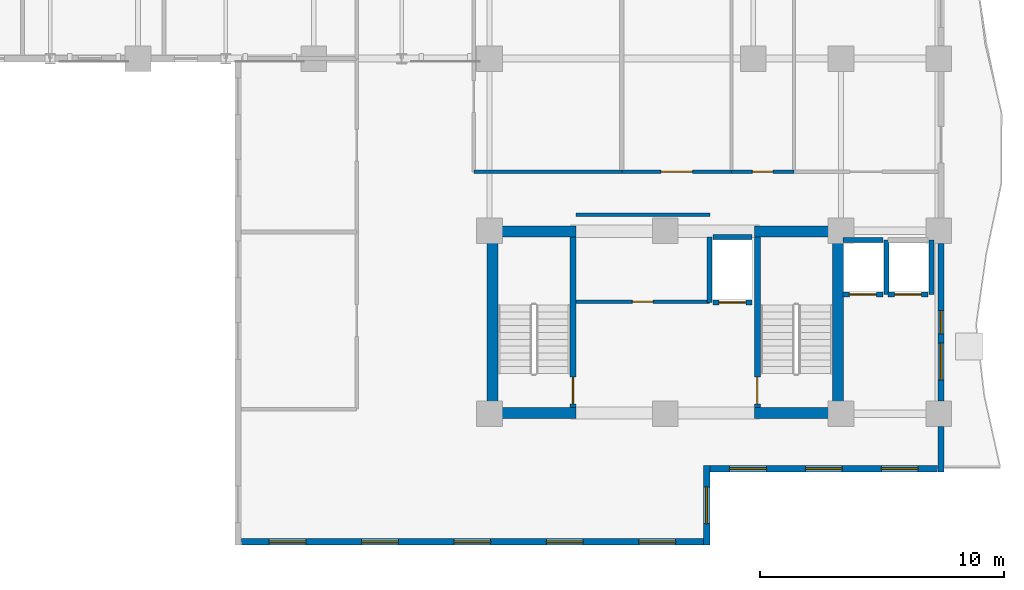
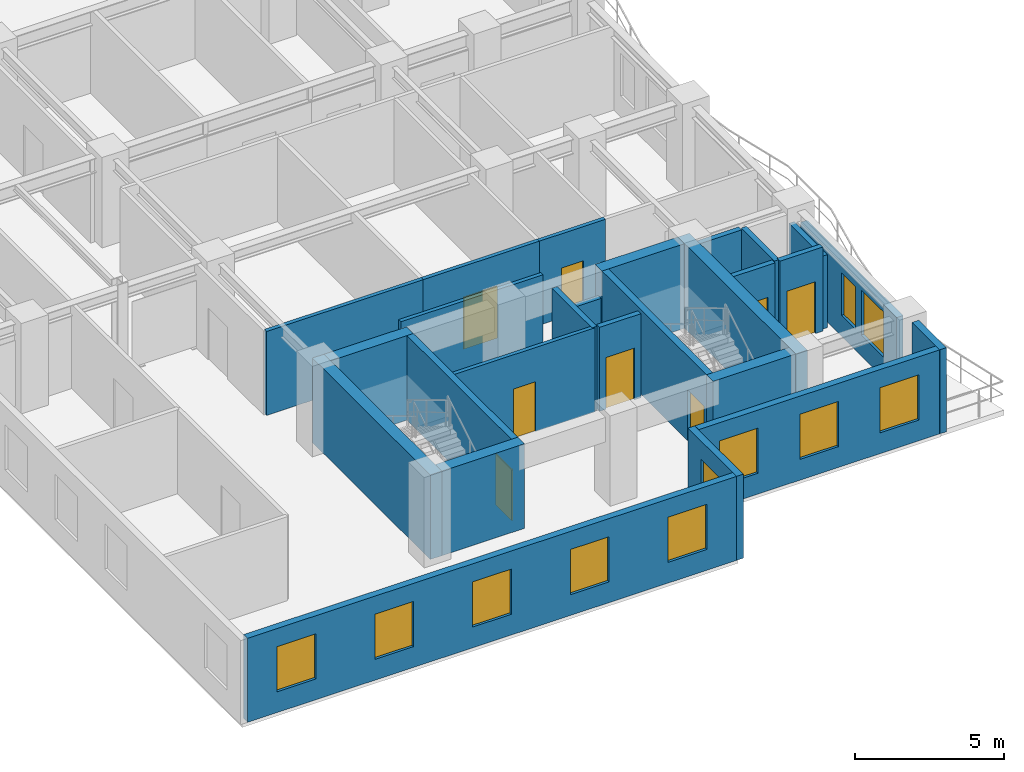
# One storey, part 6 of 13: 26 walls, 11 windows, 8 doors, 19 openings.
"""IFC4 building model written with IfcOpenShell, lengths in metres."""

from ifc_helpers import new_model, si_unit, direction, frame, frame_2d, origin, place, context, subcontext, project, spatial, rectangle, extrude, material, layer, layer_set, type_object, element, fill, save


model = new_model("IFC4")

# Units and contexts
model_context = context("Model", 3, precision=1e-05, world=origin(), true_north=direction((0.0, 1.0)))
body_context = subcontext(model_context, "Body", "Model", "MODEL_VIEW")
ifc_project = project(units=[si_unit("LENGTHUNIT", "METRE"), si_unit("AREAUNIT", "SQUARE_METRE"), si_unit("VOLUMEUNIT", "CUBIC_METRE"), si_unit("PLANEANGLEUNIT", "RADIAN"), si_unit("MASSUNIT", "GRAM", prefix="KILO")], contexts=[model_context])

# Site, building, storey
site_placement = place(None, origin())
site = spatial("IfcSite", under=ifc_project, at=site_placement, CompositionType="ELEMENT")
building_placement = place(site_placement, origin())
building = spatial("IfcBuilding", under=site, at=building_placement, Name="Kaliganga Portal Commons", CompositionType="ELEMENT")
storey_placement = place(building_placement, frame((0.0, 0.0, 180.89990234375)))
storey = spatial("IfcBuildingStorey", under=building, at=storey_placement, Name="L46", CompositionType="ELEMENT", Elevation=180.89990234375)

# Walls
ifc_material_1 = material(Name="Concrete C60/75", Category="concrete")
ifc_layer_1 = layer(ifc_material_1, 0.449951171875)
ifc_layer_set_1 = layer_set([ifc_layer_1], Name="Concrete C60/75")
wall_type_1 = type_object("IfcWallType", Name="WL-CORE-450", PredefinedType="SHEAR", material=ifc_layer_set_1)
for number, where, z_axis, x_axis, name in (
    (1, (36.125, 6.85009765625, 0.0), (0.0, 0.0, 1.0), (0.0, 1.0, 0.0), "Core B West Shear Wall L46"),
    (2, (50.27490234375, 6.85009765625, 0.0), (0.0, 0.0, 1.0), (0.0, 1.0, 0.0), "Core B East Shear Wall L46"),
):
    element("IfcWall", number, at=place(storey_placement, frame(where, z_axis=z_axis, x_axis=x_axis)), inside=storey, type_object=wall_type_1, Name=name, PredefinedType="SHEAR", context=body_context, shape_type="SweptSolid", body=[
        extrude(rectangle(XDim=7.89990234375, YDim=0.449951171875, at=frame_2d((3.949951171875, 0.0))), origin(), (0.0, 0.0, 1.0), 3.460205078125),
    ])
for number, where, z_axis, x_axis, name in (
    (3, (36.35009765625, 7.074951171875, 0.0), (0.0, 0.0, 1.0), (1.0, 0.0, 0.0), "Core B S-West Shear Wall L46"),
    (4, (46.85009765625, 7.074951171875, 0.0), (0.0, 0.0, 1.0), (1.0, 0.0, 0.0), "Core B S-East Shear Wall L46"),
    (5, (36.35009765625, 14.52490234375, 0.0), (0.0, 0.0, 1.0), (1.0, 0.0, 0.0), "Core B N-West Shear Wall L46"),
    (6, (46.85009765625, 14.52490234375, 0.0), (0.0, 0.0, 1.0), (1.0, 0.0, 0.0), "Core B N-East Shear Wall L46"),
):
    element("IfcWall", number, at=place(storey_placement, frame(where, z_axis=z_axis, x_axis=x_axis)), inside=storey, type_object=wall_type_1, Name=name, PredefinedType="SHEAR", context=body_context, shape_type="SweptSolid", body=[
        extrude(rectangle(XDim=3.199951171875, YDim=0.449951171875, at=frame_2d((1.60009765625, 0.0))), origin(), (0.0, 0.0, 1.0), 3.460205078125),
    ])

# Wall, openings, windows
ifc_material_2 = material(Name="Insulated Aluminium-Clad Spandrel Assembly", Category="aluminium")
ifc_layer_2 = layer(ifc_material_2, 0.260009765625)
ifc_layer_set_2 = layer_set([ifc_layer_2], Name="Insulated Aluminium-Clad Spandrel Assembly")
wall_type_2 = type_object("IfcWallType", Name="WL-EXT-SPAND-260", PredefinedType="STANDARD", material=ifc_layer_set_2)
wall_1_placement = place(storey_placement, frame((44.764892578125, 1.800048828125, 0.0), z_axis=(0.0, 0.0, 1.0), x_axis=(-1.0, 0.0, 0.0)))
wall_1 = element("IfcWall", 7, at=wall_1_placement, inside=storey, type_object=wall_type_2, Name="Exterior Envelope Wall L46 P1-E00-S1", PredefinedType="STANDARD", context=body_context, shape_type="SweptSolid", body=[
    extrude(rectangle(XDim=18.929931640625, YDim=0.260009765625, at=frame_2d((9.46484375, 0.0))), origin(), (0.0, 0.0, 1.0), 3.440185546875),
])
opening_1_placement = place(wall_1_placement, frame((1.14306640625, 0.0, 0.85009765625)))
opening_1 = element("IfcOpeningElement", 8, at=opening_1_placement, cuts=wall_1, Name="Opening W-02", PredefinedType="OPENING", context=body_context, shape_type="SweptSolid", body=[
    extrude(rectangle(XDim=1.5, YDim=1.85009765625, at=frame_2d((0.75, 0.925048828125))), frame((0.0, 0.14013671875, 0.0), z_axis=(0.0, -1.0, 0.0), x_axis=(1.0, 0.0, 0.0)), (0.0, 0.0, 1.0), 0.280029296875),
])
opening_2_placement = place(wall_1_placement, frame((4.928955078125, 0.0, 0.85009765625)))
opening_2 = element("IfcOpeningElement", 9, at=opening_2_placement, cuts=wall_1, Name="Opening W-02", PredefinedType="OPENING", context=body_context, shape_type="SweptSolid", body=[
    extrude(rectangle(XDim=1.5, YDim=1.85009765625, at=frame_2d((0.75, 0.925048828125))), frame((0.0, 0.14013671875, 0.0), z_axis=(0.0, -1.0, 0.0), x_axis=(1.0, 0.0, 0.0)), (0.0, 0.0, 1.0), 0.280029296875),
])
opening_3_placement = place(wall_1_placement, frame((8.715087890625, 0.0, 0.85009765625)))
opening_3 = element("IfcOpeningElement", 10, at=opening_3_placement, cuts=wall_1, Name="Opening W-02", PredefinedType="OPENING", context=body_context, shape_type="SweptSolid", body=[
    extrude(rectangle(XDim=1.5, YDim=1.85009765625, at=frame_2d((0.75, 0.925048828125))), frame((0.0, 0.14013671875, 0.0), z_axis=(0.0, -1.0, 0.0), x_axis=(1.0, 0.0, 0.0)), (0.0, 0.0, 1.0), 0.280029296875),
])
opening_4_placement = place(wall_1_placement, frame((12.5009765625, 0.0, 0.85009765625)))
opening_4 = element("IfcOpeningElement", 11, at=opening_4_placement, cuts=wall_1, Name="Opening W-02", PredefinedType="OPENING", context=body_context, shape_type="SweptSolid", body=[
    extrude(rectangle(XDim=1.5, YDim=1.85009765625, at=frame_2d((0.75, 0.925048828125))), frame((0.0, 0.14013671875, 0.0), z_axis=(0.0, -1.0, 0.0), x_axis=(1.0, 0.0, 0.0)), (0.0, 0.0, 1.0), 0.280029296875),
])
opening_5_placement = place(wall_1_placement, frame((16.287109375, 0.0, 0.85009765625)))
opening_5 = element("IfcOpeningElement", 12, at=opening_5_placement, cuts=wall_1, Name="Opening W-02", PredefinedType="OPENING", context=body_context, shape_type="SweptSolid", body=[
    extrude(rectangle(XDim=1.5, YDim=1.85009765625, at=frame_2d((0.75, 0.925048828125))), frame((0.0, 0.14013671875, 0.0), z_axis=(0.0, -1.0, 0.0), x_axis=(1.0, 0.0, 0.0)), (0.0, 0.0, 1.0), 0.280029296875),
])
ifc_material_3 = material(Name="Thermally Broken Aluminium and Low-E Double Glazing", Category="aluminium")
window_type_1 = type_object("IfcWindowType", Name="WIN-STD-1500", PartitioningType="DOUBLE_PANEL_VERTICAL", PredefinedType="WINDOW", material=ifc_material_3)
window_1_placement = place(opening_1_placement, origin())
window_1 = element("IfcWindow", 13, at=window_1_placement, inside=storey, type_object=window_type_1, Name="Facade Window L46-P1E00S1-00", OverallHeight=1.85009765625, OverallWidth=1.5, PartitioningType="SINGLE_PANEL", PredefinedType="WINDOW", context=body_context, shape_type="SweptSolid", body=[
    extrude(rectangle(XDim=1.5, YDim=1.85009765625, at=frame_2d((0.75, 0.925048828125))), frame((0.0, 0.030029296875, 0.0), z_axis=(0.0, -1.0, 0.0), x_axis=(1.0, 0.0, 0.0)), (0.0, 0.0, 1.0), 0.06005859375),
])
fill(opening_1, window_1)
window_2_placement = place(opening_2_placement, origin())
window_2 = element("IfcWindow", 14, at=window_2_placement, inside=storey, type_object=window_type_1, Name="Facade Window L46-P1E00S1-01", OverallHeight=1.85009765625, OverallWidth=1.5, PartitioningType="SINGLE_PANEL", PredefinedType="WINDOW", context=body_context, shape_type="SweptSolid", body=[
    extrude(rectangle(XDim=1.5, YDim=1.85009765625, at=frame_2d((0.75, 0.925048828125))), frame((0.0, 0.030029296875, 0.0), z_axis=(0.0, -1.0, 0.0), x_axis=(1.0, 0.0, 0.0)), (0.0, 0.0, 1.0), 0.06005859375),
])
fill(opening_2, window_2)
window_3_placement = place(opening_3_placement, origin())
window_3 = element("IfcWindow", 15, at=window_3_placement, inside=storey, type_object=window_type_1, Name="Facade Window L46-P1E00S1-02", OverallHeight=1.85009765625, OverallWidth=1.5, PartitioningType="SINGLE_PANEL", PredefinedType="WINDOW", context=body_context, shape_type="SweptSolid", body=[
    extrude(rectangle(XDim=1.5, YDim=1.85009765625, at=frame_2d((0.75, 0.925048828125))), frame((0.0, 0.030029296875, 0.0), z_axis=(0.0, -1.0, 0.0), x_axis=(1.0, 0.0, 0.0)), (0.0, 0.0, 1.0), 0.06005859375),
])
fill(opening_3, window_3)
window_4_placement = place(opening_4_placement, origin())
window_4 = element("IfcWindow", 16, at=window_4_placement, inside=storey, type_object=window_type_1, Name="Facade Window L46-P1E00S1-03", OverallHeight=1.85009765625, OverallWidth=1.5, PartitioningType="SINGLE_PANEL", PredefinedType="WINDOW", context=body_context, shape_type="SweptSolid", body=[
    extrude(rectangle(XDim=1.5, YDim=1.85009765625, at=frame_2d((0.75, 0.925048828125))), frame((0.0, 0.030029296875, 0.0), z_axis=(0.0, -1.0, 0.0), x_axis=(1.0, 0.0, 0.0)), (0.0, 0.0, 1.0), 0.06005859375),
])
fill(opening_4, window_4)
window_5_placement = place(opening_5_placement, origin())
window_5 = element("IfcWindow", 17, at=window_5_placement, inside=storey, type_object=window_type_1, Name="Facade Window L46-P1E00S1-04", OverallHeight=1.85009765625, OverallWidth=1.5, PartitioningType="SINGLE_PANEL", PredefinedType="WINDOW", context=body_context, shape_type="SweptSolid", body=[
    extrude(rectangle(XDim=1.5, YDim=1.85009765625, at=frame_2d((0.75, 0.925048828125))), frame((0.0, 0.030029296875, 0.0), z_axis=(0.0, -1.0, 0.0), x_axis=(1.0, 0.0, 0.0)), (0.0, 0.0, 1.0), 0.06005859375),
])
fill(opening_5, window_5)

# Wall, opening, window
wall_2_placement = place(storey_placement, frame((44.89990234375, 4.929931640625, 0.0), z_axis=(0.0, 0.0, 1.0), x_axis=(0.0, -1.0, 0.0)))
wall_2 = element("IfcWall", 18, at=wall_2_placement, inside=storey, type_object=wall_type_2, Name="Exterior Envelope Wall L46 P1-E01-S1", PredefinedType="STANDARD", context=body_context, shape_type="SweptSolid", body=[
    extrude(rectangle(XDim=3.260009765625, YDim=0.260009765625, at=frame_2d((1.6298828125, 0.0))), origin(), (0.0, 0.0, 1.0), 3.440185546875),
])
opening_6_placement = place(wall_2_placement, frame((0.8798828125, 0.0, 0.85009765625)))
opening_6 = element("IfcOpeningElement", 19, at=opening_6_placement, cuts=wall_2, Name="Opening W-02", PredefinedType="OPENING", context=body_context, shape_type="SweptSolid", body=[
    extrude(rectangle(XDim=1.5, YDim=1.85009765625, at=frame_2d((0.75, 0.925048828125))), frame((0.0, 0.14013671875, 0.0), z_axis=(0.0, -1.0, 0.0), x_axis=(1.0, 0.0, 0.0)), (0.0, 0.0, 1.0), 0.280029296875),
])
window_6_placement = place(opening_6_placement, origin())
window_6 = element("IfcWindow", 20, at=window_6_placement, inside=storey, type_object=window_type_1, Name="Facade Window L46-P1E01S1-00", OverallHeight=1.85009765625, OverallWidth=1.5, PartitioningType="SINGLE_PANEL", PredefinedType="WINDOW", context=body_context, shape_type="SweptSolid", body=[
    extrude(rectangle(XDim=1.5, YDim=1.85009765625, at=frame_2d((0.75, 0.925048828125))), frame((0.0, 0.030029296875, 0.0), z_axis=(0.0, -1.0, 0.0), x_axis=(1.0, 0.0, 0.0)), (0.0, 0.0, 1.0), 0.06005859375),
])
fill(opening_6, window_6)

# Wall, openings, windows
wall_3_placement = place(storey_placement, frame((54.364990234375, 4.800048828125, 0.0), z_axis=(0.0, 0.0, 1.0), x_axis=(-1.0, 0.0, 0.0)))
wall_3 = element("IfcWall", 21, at=wall_3_placement, inside=storey, type_object=wall_type_2, Name="Exterior Envelope Wall L46 P1-E02-S1", PredefinedType="STANDARD", context=body_context, shape_type="SweptSolid", body=[
    extrude(rectangle(XDim=9.330078125, YDim=0.260009765625, at=frame_2d((4.6650390625, 0.0))), origin(), (0.0, 0.0, 1.0), 3.440185546875),
])
opening_7_placement = place(wall_3_placement, frame((0.804931640625, 0.0, 0.85009765625)))
opening_7 = element("IfcOpeningElement", 22, at=opening_7_placement, cuts=wall_3, Name="Opening W-02", PredefinedType="OPENING", context=body_context, shape_type="SweptSolid", body=[
    extrude(rectangle(XDim=1.5, YDim=1.85009765625, at=frame_2d((0.75, 0.925048828125))), frame((0.0, 0.14013671875, 0.0), z_axis=(0.0, -1.0, 0.0), x_axis=(1.0, 0.0, 0.0)), (0.0, 0.0, 1.0), 0.280029296875),
])
opening_8_placement = place(wall_3_placement, frame((3.9150390625, 0.0, 0.85009765625)))
opening_8 = element("IfcOpeningElement", 23, at=opening_8_placement, cuts=wall_3, Name="Opening W-02", PredefinedType="OPENING", context=body_context, shape_type="SweptSolid", body=[
    extrude(rectangle(XDim=1.5, YDim=1.85009765625, at=frame_2d((0.75, 0.925048828125))), frame((0.0, 0.14013671875, 0.0), z_axis=(0.0, -1.0, 0.0), x_axis=(1.0, 0.0, 0.0)), (0.0, 0.0, 1.0), 0.280029296875),
])
opening_9_placement = place(wall_3_placement, frame((7.02490234375, 0.0, 0.85009765625)))
opening_9 = element("IfcOpeningElement", 24, at=opening_9_placement, cuts=wall_3, Name="Opening W-02", PredefinedType="OPENING", context=body_context, shape_type="SweptSolid", body=[
    extrude(rectangle(XDim=1.5, YDim=1.85009765625, at=frame_2d((0.75, 0.925048828125))), frame((0.0, 0.14013671875, 0.0), z_axis=(0.0, -1.0, 0.0), x_axis=(1.0, 0.0, 0.0)), (0.0, 0.0, 1.0), 0.280029296875),
])
window_7_placement = place(opening_7_placement, origin())
window_7 = element("IfcWindow", 25, at=window_7_placement, inside=storey, type_object=window_type_1, Name="Facade Window L46-P1E02S1-00", OverallHeight=1.85009765625, OverallWidth=1.5, PartitioningType="SINGLE_PANEL", PredefinedType="WINDOW", context=body_context, shape_type="SweptSolid", body=[
    extrude(rectangle(XDim=1.5, YDim=1.85009765625, at=frame_2d((0.75, 0.925048828125))), frame((0.0, 0.030029296875, 0.0), z_axis=(0.0, -1.0, 0.0), x_axis=(1.0, 0.0, 0.0)), (0.0, 0.0, 1.0), 0.06005859375),
])
fill(opening_7, window_7)
window_8_placement = place(opening_8_placement, origin())
window_8 = element("IfcWindow", 26, at=window_8_placement, inside=storey, type_object=window_type_1, Name="Facade Window L46-P1E02S1-01", OverallHeight=1.85009765625, OverallWidth=1.5, PartitioningType="SINGLE_PANEL", PredefinedType="WINDOW", context=body_context, shape_type="SweptSolid", body=[
    extrude(rectangle(XDim=1.5, YDim=1.85009765625, at=frame_2d((0.75, 0.925048828125))), frame((0.0, 0.030029296875, 0.0), z_axis=(0.0, -1.0, 0.0), x_axis=(1.0, 0.0, 0.0)), (0.0, 0.0, 1.0), 0.06005859375),
])
fill(opening_8, window_8)
window_9_placement = place(opening_9_placement, origin())
window_9 = element("IfcWindow", 27, at=window_9_placement, inside=storey, type_object=window_type_1, Name="Facade Window L46-P1E02S1-02", OverallHeight=1.85009765625, OverallWidth=1.5, PartitioningType="SINGLE_PANEL", PredefinedType="WINDOW", context=body_context, shape_type="SweptSolid", body=[
    extrude(rectangle(XDim=1.5, YDim=1.85009765625, at=frame_2d((0.75, 0.925048828125))), frame((0.0, 0.030029296875, 0.0), z_axis=(0.0, -1.0, 0.0), x_axis=(1.0, 0.0, 0.0)), (0.0, 0.0, 1.0), 0.06005859375),
])
fill(opening_9, window_9)

# Wall
wall_4_placement = place(storey_placement, frame((54.5, 6.52392578125, 0.0), z_axis=(0.0, 0.0, 1.0), x_axis=(0.0, -1.0, 0.0)))
element("IfcWall", 28, at=wall_4_placement, inside=storey, type_object=wall_type_2, Name="Exterior Envelope Wall L46 P1-E03-S1", PredefinedType="STANDARD", context=body_context, shape_type="SweptSolid", body=[
    extrude(rectangle(XDim=1.85400390625, YDim=0.260009765625, at=frame_2d((0.927001953125, 0.0))), origin(), (0.0, 0.0, 1.0), 3.440185546875),
])

# Wall, openings, windows
wall_5_placement = place(storey_placement, frame((54.5, 14.02392578125, 0.0), z_axis=(0.0, 0.0, 1.0), x_axis=(0.0, -1.0, 0.0)))
wall_5 = element("IfcWall", 29, at=wall_5_placement, inside=storey, type_object=wall_type_2, Name="Exterior Envelope Wall L46 P1-E03-S2", PredefinedType="STANDARD", context=body_context, shape_type="SweptSolid", body=[
    extrude(rectangle(XDim=6.447998046875, YDim=0.260009765625, at=frame_2d((3.22412109375, 0.0))), origin(), (0.0, 0.0, 1.0), 2.989990234375),
])
opening_10_placement = place(wall_5_placement, frame((4.0859375, 0.0, 0.85009765625)))
opening_10 = element("IfcOpeningElement", 30, at=opening_10_placement, cuts=wall_5, Name="Opening W-02", PredefinedType="OPENING", context=body_context, shape_type="SweptSolid", body=[
    extrude(rectangle(XDim=1.5, YDim=1.85009765625, at=frame_2d((0.75, 0.925048828125))), frame((0.0, 0.14013671875, 0.0), z_axis=(0.0, -1.0, 0.0), x_axis=(1.0, 0.0, 0.0)), (0.0, 0.0, 1.0), 0.280029296875),
])
opening_11_placement = place(wall_5_placement, frame((2.7490234375, 0.0, 0.85009765625)))
opening_11 = element("IfcOpeningElement", 31, at=opening_11_placement, cuts=wall_5, Name="Opening W-04", PredefinedType="OPENING", context=body_context, shape_type="SweptSolid", body=[
    extrude(rectangle(XDim=0.949951171875, YDim=1.75, at=frame_2d((0.47509765625, 0.875))), frame((0.0, 0.14013671875, 0.0), z_axis=(0.0, -1.0, 0.0), x_axis=(1.0, 0.0, 0.0)), (0.0, 0.0, 1.0), 0.280029296875),
])
window_type_2 = type_object("IfcWindowType", Name="WIN-NARROW-950", PartitioningType="SINGLE_PANEL", PredefinedType="WINDOW", material=ifc_material_3)
window_10_placement = place(opening_11_placement, origin())
window_10 = element("IfcWindow", 32, at=window_10_placement, inside=storey, type_object=window_type_2, Name="Facade Window L46-P1E03S2-N0", OverallHeight=1.75, OverallWidth=0.949951171875, PartitioningType="SINGLE_PANEL", PredefinedType="WINDOW", context=body_context, shape_type="SweptSolid", body=[
    extrude(rectangle(XDim=0.949951171875, YDim=1.75, at=frame_2d((0.47509765625, 0.875))), frame((0.0, 0.030029296875, 0.0), z_axis=(0.0, -1.0, 0.0), x_axis=(1.0, 0.0, 0.0)), (0.0, 0.0, 1.0), 0.06005859375),
])
fill(opening_11, window_10)
window_11_placement = place(opening_10_placement, origin())
window_11 = element("IfcWindow", 33, at=window_11_placement, inside=storey, type_object=window_type_1, Name="Facade Window L46-P1E03S2-01", OverallHeight=1.85009765625, OverallWidth=1.5, PartitioningType="SINGLE_PANEL", PredefinedType="WINDOW", context=body_context, shape_type="SweptSolid", body=[
    extrude(rectangle(XDim=1.5, YDim=1.85009765625, at=frame_2d((0.75, 0.925048828125))), frame((0.0, 0.030029296875, 0.0), z_axis=(0.0, -1.0, 0.0), x_axis=(1.0, 0.0, 0.0)), (0.0, 0.0, 1.0), 0.06005859375),
])
fill(opening_10, window_11)

# Wall
ifc_material_4 = material(Name="Fire-Rated Gypsum Board on Steel Stud", Category="steel")
ifc_layer_3 = layer(ifc_material_4, 0.14990234375)
ifc_layer_set_3 = layer_set([ifc_layer_3], Name="Fire-Rated Gypsum Board on Steel Stud")
wall_type_3 = type_object("IfcWallType", Name="WL-PART-CORR-150", PredefinedType="PARTITIONING", material=ifc_layer_set_3)
wall_6_placement = place(storey_placement, frame((35.360107421875, 16.9599609375, 0.0), z_axis=(0.0, 0.0, 1.0), x_axis=(1.0, 0.0, 0.0)))
element("IfcWall", 34, at=wall_6_placement, inside=storey, type_object=wall_type_3, Name="Interior Partition L46-016", PredefinedType="PARTITIONING", context=body_context, shape_type="SweptSolid", body=[
    extrude(rectangle(XDim=6.059814453125, YDim=0.14990234375, at=frame_2d((3.02978515625, 0.0))), origin(), (0.0, 0.0, 1.0), 3.440185546875),
])

# Wall, opening, door
wall_7_placement = place(storey_placement, frame((39.5400390625, 11.639892578125, 0.0), z_axis=(0.0, 0.0, 1.0), x_axis=(1.0, 0.0, 0.0)))
wall_7 = element("IfcWall", 35, at=wall_7_placement, inside=storey, type_object=wall_type_3, Name="Interior Partition L46-023", PredefinedType="PARTITIONING", context=body_context, shape_type="SweptSolid", body=[
    extrude(rectangle(XDim=5.469970703125, YDim=0.14990234375, at=frame_2d((2.73486328125, 0.0))), origin(), (0.0, 0.0, 1.0), 3.440185546875),
])
opening_12_placement = place(wall_7_placement, frame((2.31005859375, 0.0, 0.0)))
opening_12 = element("IfcOpeningElement", 36, at=opening_12_placement, cuts=wall_7, Name="Opening WD-01", PredefinedType="OPENING", context=body_context, shape_type="SweptSolid", body=[
    extrude(rectangle(XDim=0.85009765625, YDim=2.0400390625, at=frame_2d((0.425048828125, 1.02001953125))), frame((0.0, 0.0849609375, 0.0), z_axis=(0.0, -1.0, 0.0), x_axis=(1.0, 0.0, 0.0)), (0.0, 0.0, 1.0), 0.169921875),
])
ifc_material_5 = material(Name="Moisture-Resistant Laminate Timber Door", Category="wood")
door_type_1 = type_object("IfcDoorType", Name="DR-WET-850", OperationType="NOTDEFINED", PredefinedType="DOOR", material=ifc_material_5)
door_1_placement = place(opening_12_placement, origin())
door_1 = element("IfcDoor", 37, at=door_1_placement, inside=storey, type_object=door_type_1, Name="Interior Door L46-CREC_B1", OperationType="SINGLE_SWING_LEFT", OverallHeight=2.0400390625, OverallWidth=0.85009765625, PredefinedType="DOOR", context=body_context, shape_type="SweptSolid", body=[
    extrude(rectangle(XDim=0.85009765625, YDim=2.0400390625, at=frame_2d((0.425048828125, 1.02001953125))), frame((0.0, 0.02490234375, 0.0), z_axis=(0.0, -1.0, 0.0), x_axis=(1.0, 0.0, 0.0)), (0.0, 0.0, 1.0), 0.050048828125),
])
fill(opening_12, door_1)

# Wall
wall_8_placement = place(storey_placement, frame((39.5400390625, 15.199951171875, 0.0), z_axis=(0.0, 0.0, 1.0), x_axis=(1.0, 0.0, 0.0)))
element("IfcWall", 38, at=wall_8_placement, inside=storey, type_object=wall_type_3, Name="Interior Partition L46-024", PredefinedType="PARTITIONING", context=body_context, shape_type="SweptSolid", body=[
    extrude(rectangle(XDim=5.5, YDim=0.14990234375, at=frame_2d((2.75, 0.0))), origin(), (0.0, 0.0, 1.0), 3.440185546875),
])

# Wall, opening, door
wall_9_placement = place(storey_placement, frame((41.419921875, 16.9599609375, 0.0), z_axis=(0.0, 0.0, 1.0), x_axis=(1.0, 0.0, 0.0)))
wall_9 = element("IfcWall", 39, at=wall_9_placement, inside=storey, type_object=wall_type_3, Name="Interior Partition L46-029", PredefinedType="PARTITIONING", context=body_context, shape_type="SweptSolid", body=[
    extrude(rectangle(XDim=4.5, YDim=0.14990234375, at=frame_2d((2.25, 0.0))), origin(), (0.0, 0.0, 1.0), 3.440185546875),
])
opening_13_placement = place(wall_9_placement, frame((1.60009765625, 0.0, 0.0)))
opening_13 = element("IfcOpeningElement", 40, at=opening_13_placement, cuts=wall_9, Name="Opening RD-03", PredefinedType="OPENING", context=body_context, shape_type="SweptSolid", body=[
    extrude(rectangle(XDim=1.300048828125, YDim=2.1201171875, at=frame_2d((0.64990234375, 1.06005859375))), frame((0.0, 0.0849609375, 0.0), z_axis=(0.0, -1.0, 0.0), x_axis=(1.0, 0.0, 0.0)), (0.0, 0.0, 1.0), 0.169921875),
])
ifc_material_6 = material(Name="Glazed Timber Seminar Vision Door", Category="wood")
door_type_2 = type_object("IfcDoorType", Name="DR-STUDY-1300", OperationType="DOUBLE_DOOR_SINGLE_SWING", PredefinedType="DOOR", material=ifc_material_6)
door_2_placement = place(opening_13_placement, origin())
door_2 = element("IfcDoor", 41, at=door_2_placement, inside=storey, type_object=door_type_2, Name="Interior Door L46-BM02", OperationType="DOUBLE_DOOR_SINGLE_SWING", OverallHeight=2.1201171875, OverallWidth=1.300048828125, PredefinedType="DOOR", context=body_context, shape_type="SweptSolid", body=[
    extrude(rectangle(XDim=1.300048828125, YDim=2.1201171875, at=frame_2d((0.64990234375, 1.06005859375))), frame((0.0, 0.02490234375, 0.0), z_axis=(0.0, -1.0, 0.0), x_axis=(1.0, 0.0, 0.0)), (0.0, 0.0, 1.0), 0.050048828125),
])
fill(opening_13, door_2)

wall_10_placement = place(storey_placement, frame((45.919921875, 16.9599609375, 0.0), z_axis=(0.0, 0.0, 1.0), x_axis=(1.0, 0.0, 0.0)))
wall_10 = element("IfcWall", 42, at=wall_10_placement, inside=storey, type_object=wall_type_3, Name="Interior Partition L46-042", PredefinedType="PARTITIONING", context=body_context, shape_type="SweptSolid", body=[
    extrude(rectangle(XDim=2.56005859375, YDim=0.14990234375, at=frame_2d((1.280029296875, 0.0))), origin(), (0.0, 0.0, 1.0), 3.440185546875),
])
opening_14_placement = place(wall_10_placement, frame((0.85498046875, 0.0, 0.0)))
opening_14 = element("IfcOpeningElement", 43, at=opening_14_placement, cuts=wall_10, Name="Opening WD-01", PredefinedType="OPENING", context=body_context, shape_type="SweptSolid", body=[
    extrude(rectangle(XDim=0.85009765625, YDim=2.0400390625, at=frame_2d((0.425048828125, 1.02001953125))), frame((0.0, 0.0849609375, 0.0), z_axis=(0.0, -1.0, 0.0), x_axis=(1.0, 0.0, 0.0)), (0.0, 0.0, 1.0), 0.169921875),
])
door_3_placement = place(opening_14_placement, origin())
door_3 = element("IfcDoor", 44, at=door_3_placement, inside=storey, type_object=door_type_1, Name="Interior Door L46-BM03", OperationType="SINGLE_SWING_RIGHT", OverallHeight=2.0400390625, OverallWidth=0.85009765625, PredefinedType="DOOR", context=body_context, shape_type="SweptSolid", body=[
    extrude(rectangle(XDim=0.85009765625, YDim=2.0400390625, at=frame_2d((0.425048828125, 1.02001953125))), frame((0.0, 0.02490234375, 0.0), z_axis=(0.0, -1.0, 0.0), x_axis=(1.0, 0.0, 0.0)), (0.0, 0.0, 1.0), 0.050048828125),
])
fill(opening_14, door_3)

ifc_material_7 = material(Name="Fire-Rated Shaftwall Masonry Assembly", Category="masonry")
ifc_layer_4 = layer(ifc_material_7, 0.199951171875)
ifc_layer_set_4 = layer_set([ifc_layer_4], Name="Fire-Rated Shaftwall Masonry Assembly")
wall_type_4 = type_object("IfcWallType", Name="WL-SHAFT-200", PredefinedType="PARTITIONING", material=ifc_layer_set_4)
wall_11_placement = place(storey_placement, frame((50.47509765625, 11.93505859375, 0.0), z_axis=(0.0, 0.0, 1.0), x_axis=(1.0, 0.0, 0.0)))
wall_11 = element("IfcWall", 45, at=wall_11_placement, inside=storey, type_object=wall_type_4, Name="Lift PL-B3 Hoistway Shaft Wall L46-S", PredefinedType="PARTITIONING", context=body_context, shape_type="SweptSolid", body=[
    extrude(rectangle(XDim=1.64990234375, YDim=0.199951171875, at=frame_2d((0.824951171875, 0.0))), origin(), (0.0, 0.0, 1.0), 3.440185546875),
])
opening_15_placement = place(wall_11_placement, frame((0.27490234375, 0.0, 0.0)))
opening_15 = element("IfcOpeningElement", 46, at=opening_15_placement, cuts=wall_11, Name="Opening LD-01", PredefinedType="OPENING", context=body_context, shape_type="SweptSolid", body=[
    extrude(rectangle(XDim=1.10009765625, YDim=2.1201171875, at=frame_2d((0.550048828125, 1.06005859375))), frame((0.0, 0.10986328125, 0.0), z_axis=(0.0, -1.0, 0.0), x_axis=(1.0, 0.0, 0.0)), (0.0, 0.0, 1.0), 0.219970703125),
])
ifc_material_8 = material(Name="Brushed Stainless Steel 316 Lift Landing Door", Category="steel")
door_type_3 = type_object("IfcDoorType", Name="DR-LIFT-1100", OperationType="SLIDING_TO_LEFT", PredefinedType="DOOR", material=ifc_material_8)
door_4_placement = place(opening_15_placement, origin())
door_4 = element("IfcDoor", 47, at=door_4_placement, inside=storey, type_object=door_type_3, Name="Lift PL-B3 Sliding Landing Door L46", OperationType="SLIDING_TO_LEFT", OverallHeight=2.1201171875, OverallWidth=1.10009765625, PredefinedType="DOOR", context=body_context, shape_type="SweptSolid", body=[
    extrude(rectangle(XDim=1.10009765625, YDim=2.1201171875, at=frame_2d((0.550048828125, 1.06005859375))), frame((0.0, 0.02490234375, 0.0), z_axis=(0.0, -1.0, 0.0), x_axis=(1.0, 0.0, 0.0)), (0.0, 0.0, 1.0), 0.050048828125),
])
fill(opening_15, door_4)

# Walls
wall_12_placement = place(storey_placement, frame((50.47509765625, 14.1650390625, 0.0), z_axis=(0.0, 0.0, 1.0), x_axis=(1.0, 0.0, 0.0)))
element("IfcWall", 48, at=wall_12_placement, inside=storey, type_object=wall_type_4, Name="Lift PL-B3 Hoistway Shaft Wall L46-N", PredefinedType="PARTITIONING", context=body_context, shape_type="SweptSolid", body=[
    extrude(rectangle(XDim=1.64990234375, YDim=0.199951171875, at=frame_2d((0.824951171875, 0.0))), origin(), (0.0, 0.0, 1.0), 3.440185546875),
])
wall_13_placement = place(storey_placement, frame((52.264892578125, 11.93505859375, 0.0), z_axis=(0.0, 0.0, 1.0), x_axis=(0.0, 1.0, 0.0)))
element("IfcWall", 49, at=wall_13_placement, inside=storey, type_object=wall_type_4, Name="Lift PL-B3 Hoistway Shaft Wall L46-E", PredefinedType="PARTITIONING", context=body_context, shape_type="SweptSolid", body=[
    extrude(rectangle(XDim=2.22998046875, YDim=0.199951171875, at=frame_2d((1.114990234375, 0.0))), origin(), (0.0, 0.0, 1.0), 3.440185546875),
])

# Wall, opening, door
wall_14_placement = place(storey_placement, frame((52.324951171875, 11.93505859375, 0.0), z_axis=(0.0, 0.0, 1.0), x_axis=(1.0, 0.0, 0.0)))
wall_14 = element("IfcWall", 50, at=wall_14_placement, inside=storey, type_object=wall_type_4, Name="Lift PL-B4 Hoistway Shaft Wall L46-S", PredefinedType="PARTITIONING", context=body_context, shape_type="SweptSolid", body=[
    extrude(rectangle(XDim=1.650146484375, YDim=0.199951171875, at=frame_2d((0.8251953125, 0.0))), origin(), (0.0, 0.0, 1.0), 3.440185546875),
])
opening_16_placement = place(wall_14_placement, frame((0.27490234375, 0.0, 0.0)))
opening_16 = element("IfcOpeningElement", 51, at=opening_16_placement, cuts=wall_14, Name="Opening LD-01", PredefinedType="OPENING", context=body_context, shape_type="SweptSolid", body=[
    extrude(rectangle(XDim=1.10009765625, YDim=2.1201171875, at=frame_2d((0.550048828125, 1.06005859375))), frame((0.0, 0.10986328125, 0.0), z_axis=(0.0, -1.0, 0.0), x_axis=(1.0, 0.0, 0.0)), (0.0, 0.0, 1.0), 0.219970703125),
])
door_5_placement = place(opening_16_placement, origin())
door_5 = element("IfcDoor", 52, at=door_5_placement, inside=storey, type_object=door_type_3, Name="Lift PL-B4 Sliding Landing Door L46", OperationType="SLIDING_TO_LEFT", OverallHeight=2.1201171875, OverallWidth=1.10009765625, PredefinedType="DOOR", context=body_context, shape_type="SweptSolid", body=[
    extrude(rectangle(XDim=1.10009765625, YDim=2.1201171875, at=frame_2d((0.550048828125, 1.06005859375))), frame((0.0, 0.02490234375, 0.0), z_axis=(0.0, -1.0, 0.0), x_axis=(1.0, 0.0, 0.0)), (0.0, 0.0, 1.0), 0.050048828125),
])
fill(opening_16, door_5)

# Wall
wall_15_placement = place(storey_placement, frame((54.114990234375, 11.93505859375, 0.0), z_axis=(0.0, 0.0, 1.0), x_axis=(0.0, 1.0, 0.0)))
element("IfcWall", 53, at=wall_15_placement, inside=storey, type_object=wall_type_4, Name="Lift PL-B4 Hoistway Shaft Wall L46-E", PredefinedType="PARTITIONING", context=body_context, shape_type="SweptSolid", body=[
    extrude(rectangle(XDim=2.22998046875, YDim=0.199951171875, at=frame_2d((1.114990234375, 0.0))), origin(), (0.0, 0.0, 1.0), 2.989990234375),
])

# Wall, opening, door
wall_16_placement = place(storey_placement, frame((45.14990234375, 11.610107421875, 0.0), z_axis=(0.0, 0.0, 1.0), x_axis=(1.0, 0.0, 0.0)))
wall_16 = element("IfcWall", 54, at=wall_16_placement, inside=storey, type_object=wall_type_4, Name="Lift SL-B1 Hoistway Shaft Wall L46-S", PredefinedType="PARTITIONING", context=body_context, shape_type="SweptSolid", body=[
    extrude(rectangle(XDim=1.60009765625, YDim=0.199951171875, at=frame_2d((0.800048828125, 0.0))), origin(), (0.0, 0.0, 1.0), 3.440185546875),
])
opening_17_placement = place(wall_16_placement, frame((0.25, 0.0, 0.0)))
opening_17 = element("IfcOpeningElement", 55, at=opening_17_placement, cuts=wall_16, Name="Opening LD-01", PredefinedType="OPENING", context=body_context, shape_type="SweptSolid", body=[
    extrude(rectangle(XDim=1.10009765625, YDim=2.1201171875, at=frame_2d((0.550048828125, 1.06005859375))), frame((0.0, 0.10986328125, 0.0), z_axis=(0.0, -1.0, 0.0), x_axis=(1.0, 0.0, 0.0)), (0.0, 0.0, 1.0), 0.219970703125),
])
door_6_placement = place(opening_17_placement, origin())
door_6 = element("IfcDoor", 56, at=door_6_placement, inside=storey, type_object=door_type_3, Name="Lift SL-B1 Sliding Landing Door L46", OperationType="SLIDING_TO_LEFT", OverallHeight=2.1201171875, OverallWidth=1.10009765625, PredefinedType="DOOR", context=body_context, shape_type="SweptSolid", body=[
    extrude(rectangle(XDim=1.10009765625, YDim=2.1201171875, at=frame_2d((0.550048828125, 1.06005859375))), frame((0.0, 0.02490234375, 0.0), z_axis=(0.0, -1.0, 0.0), x_axis=(1.0, 0.0, 0.0)), (0.0, 0.0, 1.0), 0.050048828125),
])
fill(opening_17, door_6)

# Walls
wall_17_placement = place(storey_placement, frame((45.14990234375, 14.2900390625, 0.0), z_axis=(0.0, 0.0, 1.0), x_axis=(1.0, 0.0, 0.0)))
element("IfcWall", 57, at=wall_17_placement, inside=storey, type_object=wall_type_4, Name="Lift SL-B1 Hoistway Shaft Wall L46-N", PredefinedType="PARTITIONING", context=body_context, shape_type="SweptSolid", body=[
    extrude(rectangle(XDim=1.60009765625, YDim=0.199951171875, at=frame_2d((0.800048828125, 0.0))), origin(), (0.0, 0.0, 1.0), 2.440185546875),
])
wall_18_placement = place(storey_placement, frame((45.010009765625, 11.610107421875, 0.0), z_axis=(0.0, 0.0, 1.0), x_axis=(0.0, 1.0, 0.0)))
element("IfcWall", 58, at=wall_18_placement, inside=storey, type_object=wall_type_4, Name="Lift SL-B1 Hoistway Shaft Wall L46-W", PredefinedType="PARTITIONING", context=body_context, shape_type="SweptSolid", body=[
    extrude(rectangle(XDim=2.679931640625, YDim=0.199951171875, at=frame_2d((1.33984375, 0.0))), origin(), (0.0, 0.0, 1.0), 3.440185546875),
])

# Wall, opening, door
ifc_material_9 = material(Name="Concrete C50/60", Category="concrete")
ifc_layer_5 = layer(ifc_material_9, 0.25)
ifc_layer_set_5 = layer_set([ifc_layer_5], Name="Concrete C50/60")
wall_type_5 = type_object("IfcWallType", Name="WL-STAIR-250", PredefinedType="SHEAR", material=ifc_layer_set_5)
wall_19_placement = place(storey_placement, frame((39.425048828125, 7.300048828125, 0.0), z_axis=(0.0, 0.0, 1.0), x_axis=(0.0, 1.0, 0.0)))
wall_19 = element("IfcWall", 59, at=wall_19_placement, inside=storey, type_object=wall_type_5, Name="Stair B1 Enclosure Shear Wall L46", PredefinedType="SHEAR", context=body_context, shape_type="SweptSolid", body=[
    extrude(rectangle(XDim=7.0, YDim=0.25, at=frame_2d((3.5, 0.0))), origin(), (0.0, 0.0, 1.0), 3.460205078125),
])
opening_18_placement = place(wall_19_placement, frame((0.14990234375, 0.0, 0.0)))
opening_18 = element("IfcOpeningElement", 60, at=opening_18_placement, cuts=wall_19, Name="Opening SD-01", PredefinedType="OPENING", context=body_context, shape_type="SweptSolid", body=[
    extrude(rectangle(XDim=1.10009765625, YDim=2.080078125, at=frame_2d((0.550048828125, 1.0400390625))), frame((0.0, 0.135009765625, 0.0), z_axis=(0.0, -1.0, 0.0), x_axis=(1.0, 0.0, 0.0)), (0.0, 0.0, 1.0), 0.27001953125),
])
ifc_material_10 = material(Name="Galvanized Steel Fire Door Leaf and Frame", Category="steel")
door_type_4 = type_object("IfcDoorType", Name="DR-STAIR-1100", OperationType="NOTDEFINED", PredefinedType="DOOR", material=ifc_material_10)
door_7_placement = place(opening_18_placement, origin())
door_7 = element("IfcDoor", 61, at=door_7_placement, inside=storey, type_object=door_type_4, Name="Protected Stair ST-B1 Fire Door L46", OperationType="SINGLE_SWING_RIGHT", OverallHeight=2.080078125, OverallWidth=1.10009765625, PredefinedType="DOOR", context=body_context, shape_type="SweptSolid", body=[
    extrude(rectangle(XDim=1.10009765625, YDim=2.080078125, at=frame_2d((0.550048828125, 1.0400390625))), frame((0.0, 0.02490234375, 0.0), z_axis=(0.0, -1.0, 0.0), x_axis=(1.0, 0.0, 0.0)), (0.0, 0.0, 1.0), 0.050048828125),
])
fill(opening_18, door_7)

wall_20_placement = place(storey_placement, frame((46.97509765625, 7.300048828125, 0.0), z_axis=(0.0, 0.0, 1.0), x_axis=(0.0, 1.0, 0.0)))
wall_20 = element("IfcWall", 62, at=wall_20_placement, inside=storey, type_object=wall_type_5, Name="Stair B2 Enclosure Shear Wall L46", PredefinedType="SHEAR", context=body_context, shape_type="SweptSolid", body=[
    extrude(rectangle(XDim=7.0, YDim=0.25, at=frame_2d((3.5, 0.0))), origin(), (0.0, 0.0, 1.0), 3.460205078125),
])
opening_19_placement = place(wall_20_placement, frame((0.14990234375, 0.0, 0.0)))
opening_19 = element("IfcOpeningElement", 63, at=opening_19_placement, cuts=wall_20, Name="Opening SD-01", PredefinedType="OPENING", context=body_context, shape_type="SweptSolid", body=[
    extrude(rectangle(XDim=1.10009765625, YDim=2.080078125, at=frame_2d((0.550048828125, 1.0400390625))), frame((0.0, 0.135009765625, 0.0), z_axis=(0.0, -1.0, 0.0), x_axis=(1.0, 0.0, 0.0)), (0.0, 0.0, 1.0), 0.27001953125),
])
door_8_placement = place(opening_19_placement, origin())
door_8 = element("IfcDoor", 64, at=door_8_placement, inside=storey, type_object=door_type_4, Name="Protected Stair ST-B2 Fire Door L46", OperationType="SINGLE_SWING_LEFT", OverallHeight=2.080078125, OverallWidth=1.10009765625, PredefinedType="DOOR", context=body_context, shape_type="SweptSolid", body=[
    extrude(rectangle(XDim=1.10009765625, YDim=2.080078125, at=frame_2d((0.550048828125, 1.0400390625))), frame((0.0, 0.02490234375, 0.0), z_axis=(0.0, -1.0, 0.0), x_axis=(1.0, 0.0, 0.0)), (0.0, 0.0, 1.0), 0.050048828125),
])
fill(opening_19, door_8)

save(model, "model.ifc")
